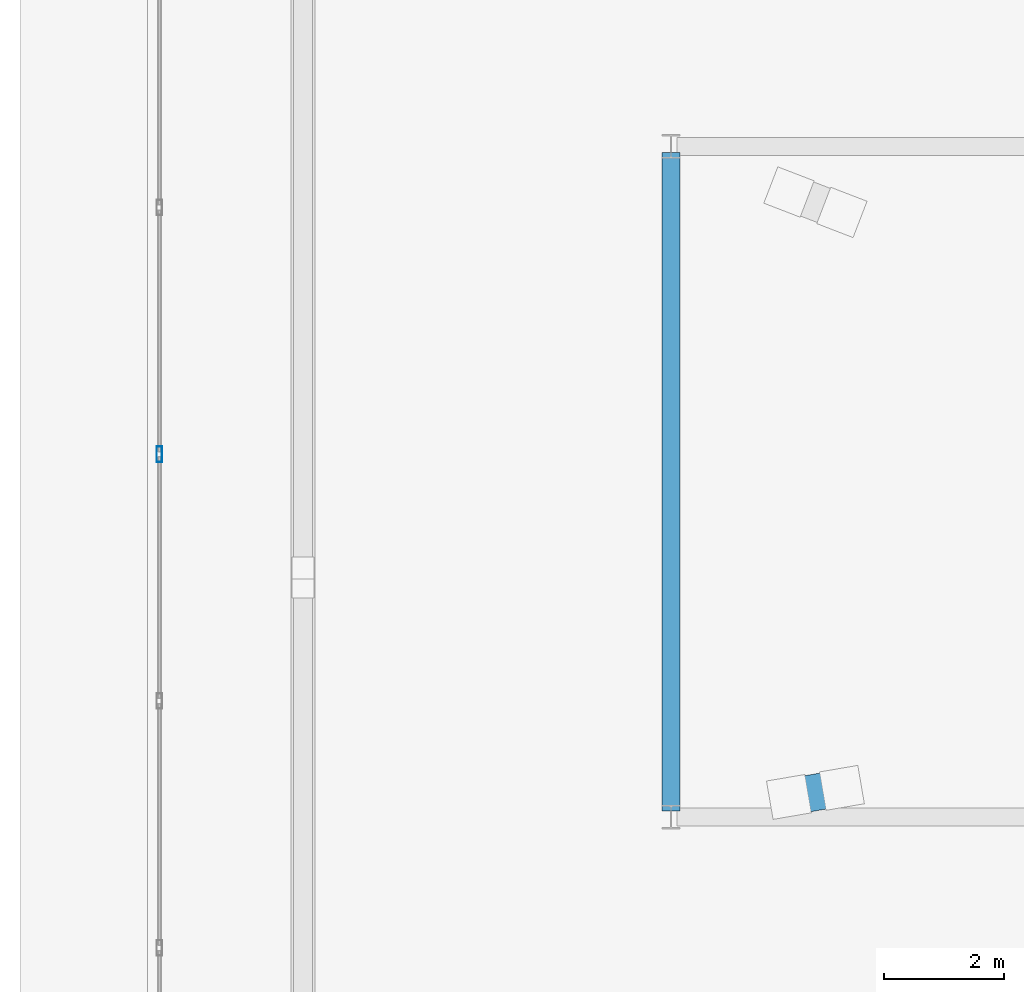
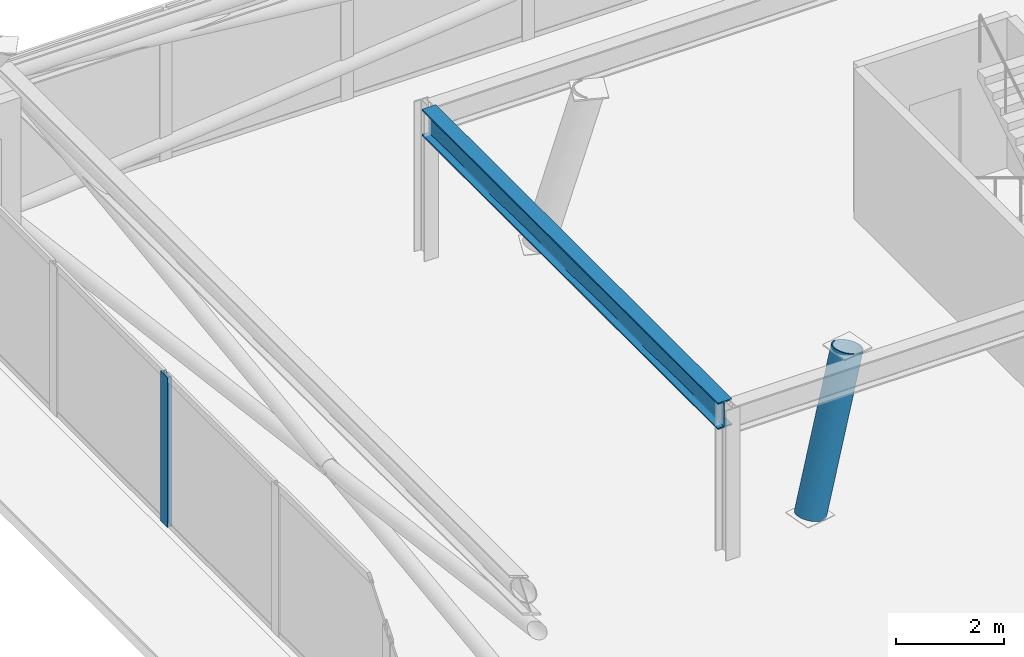
# One storey, part 4 of 18: 2 members, 1 beam, 1 element without a shape of its own.
"""IFC4 building model written with IfcOpenShell, lengths in metres."""

import ifcopenshell
import ifcopenshell.guid

model = None  # the IFC model being written
_history = None  # IfcOwnerHistory: only IFC2X3 demands one
_inside = {}  # id of a spatial element -> (the spatial element, [elements in it])
_under = {}  # id of a project, library or spatial element -> (it, [spatial elements below it])
_declared = {}  # id of a project -> (the project, [libraries it declares])
_typed = {}  # id of a type object -> (the type object, [elements of that type])
_made_of = {}  # id of a material, layer set ... -> (it, [elements and type objects made of it])


def new_model(schema):
    """Start an empty IFC model of exactly this schema.

    Asked for "IFC4X3", IfcOpenShell would pick the latest addendum, in which some entities
    have other attributes; the version numbers below select the first issue.
    IFC2X3 requires an IfcOwnerHistory on every rooted entity: one is made here for all.
    """
    global model, _history
    if schema == "IFC4X3":
        model = ifcopenshell.file(schema_version=(4, 3, 0, 0))
    else:
        model = ifcopenshell.file(schema=schema)
    _inside.clear()
    _under.clear()
    _declared.clear()
    _typed.clear()
    _made_of.clear()
    _history = None
    if model.schema == "IFC2X3":
        org = make("IfcOrganization", Name="unknown")
        user = make(
            "IfcPersonAndOrganization",
            ThePerson=make("IfcPerson", FamilyName="unknown"),
            TheOrganization=org,
        )
        app = make(
            "IfcApplication",
            ApplicationDeveloper=org,
            Version="unknown",
            ApplicationFullName="unknown",
            ApplicationIdentifier="unknown",
        )
        _history = make(
            "IfcOwnerHistory",
            OwningUser=user,
            OwningApplication=app,
            ChangeAction="ADDED",
            CreationDate=0,
        )
    return model


def make(cls, **values):
    """One entity of the class cls with the attributes given. An attribute that is None is left unset."""
    return model.create_entity(
        cls, **{name: value for name, value in values.items() if value is not None}
    )


def rooted(cls, **values):
    """An entity with a GlobalId (a new one), such as an element, a storey or a relation."""
    return make(cls, GlobalId=ifcopenshell.guid.new(), OwnerHistory=_history, **values)


def si_unit(unit_type, name, prefix=None):
    """IfcSIUnit, for example si_unit("LENGTHUNIT", "METRE", prefix="MILLI")."""
    return make("IfcSIUnit", UnitType=unit_type, Prefix=prefix, Name=name)


def assignment(units):
    """IfcUnitAssignment: the units of a project."""
    return None if units is None else make("IfcUnitAssignment", Units=units)


def point(xyz):
    """IfcCartesianPoint."""
    return None if xyz is None else make("IfcCartesianPoint", Coordinates=xyz)


def direction(xyz):
    """IfcDirection."""
    return None if xyz is None else make("IfcDirection", DirectionRatios=xyz)


def frame(location, z_axis=None, x_axis=None):
    """IfcAxis2Placement3D, a coordinate frame: its origin and axes. An axis left out is left unset."""
    return make(
        "IfcAxis2Placement3D",
        Location=point(location),
        Axis=direction(z_axis),
        RefDirection=direction(x_axis),
    )


def frame_2d(location, x_axis=None):
    """IfcAxis2Placement2D, a coordinate frame in the plane: its origin and x axis."""
    return make(
        "IfcAxis2Placement2D", Location=point(location), RefDirection=direction(x_axis)
    )


def origin():
    """The frame at (0, 0, 0) with its axes left unset."""
    return frame((0.0, 0.0, 0.0))


def origin_2d():
    """The frame at (0, 0) in the plane with its x axis left unset."""
    return frame_2d((0.0, 0.0))


def place(relative_to, where):
    """IfcLocalPlacement: puts the frame where relative to a parent placement (None: the world)."""
    return make(
        "IfcLocalPlacement", PlacementRelTo=relative_to, RelativePlacement=where
    )


def context(
    kind, dimensions, precision=None, world=None, true_north=None, identifier=None
):
    """IfcGeometricRepresentationContext, for example the 3D "Model" context."""
    return make(
        "IfcGeometricRepresentationContext",
        ContextIdentifier=identifier,
        ContextType=kind,
        CoordinateSpaceDimension=dimensions,
        Precision=precision,
        WorldCoordinateSystem=world,
        TrueNorth=true_north,
    )


def subcontext(parent, identifier, kind, view, scale=None):
    """IfcGeometricRepresentationSubContext, for example "Body" below "Model"."""
    return make(
        "IfcGeometricRepresentationSubContext",
        ContextIdentifier=identifier,
        ContextType=kind,
        ParentContext=parent,
        TargetScale=scale,
        TargetView=view,
    )


def project(units=None, contexts=None):
    """IfcProject with its units and contexts."""
    return rooted(
        "IfcProject",
        Name="project",
        RepresentationContexts=contexts,
        UnitsInContext=assignment(units),
    )


def spatial(cls, under=None, at=None, **own):
    """A site, building, storey or space (cls), placed at a placement, below another one or the project."""
    s = rooted(cls, ObjectPlacement=at, **own)
    if under is not None:
        _under.setdefault(under.id(), (under, []))[1].append(s)
    return s


def profile(cls, at=None, kind="AREA", **sizes):
    """A parametric profile (cls). Its sizes go by their IFC names, for example OverallWidth=200.0."""
    return make(cls, ProfileType=kind, Position=at, **sizes)


def hollow_rectangle(**sizes):
    """IfcRectangleHollowProfileDef."""
    return profile("IfcRectangleHollowProfileDef", **sizes)


def hollow_circle(**sizes):
    """IfcCircleHollowProfileDef."""
    return profile("IfcCircleHollowProfileDef", **sizes)


def i_section(**sizes):
    """IfcIShapeProfileDef."""
    return profile("IfcIShapeProfileDef", **sizes)


def extrude(swept, where, along, depth):
    """IfcExtrudedAreaSolid: the profile swept, set in the frame where, extruded along a direction by depth."""
    return make(
        "IfcExtrudedAreaSolid",
        SweptArea=swept,
        Position=where,
        ExtrudedDirection=direction(along),
        Depth=depth,
    )


def shape(context_of_items, identifier, shape_type, items):
    """IfcShapeRepresentation: the items that make up one representation, for example the "Body"."""
    return make(
        "IfcShapeRepresentation",
        ContextOfItems=context_of_items,
        RepresentationIdentifier=identifier,
        RepresentationType=shape_type,
        Items=items,
    )


def material(Name=None, Category=None):
    """IfcMaterial."""
    return make("IfcMaterial", Name=Name, Category=Category)


def layer(
    of_material, thickness, ventilated=None, Name=None, Category=None, Priority=None
):
    """IfcMaterialLayer: one layer of a wall or slab, of a material (None: an air gap)."""
    return make(
        "IfcMaterialLayer",
        Material=of_material,
        LayerThickness=thickness,
        IsVentilated=ventilated,
        Name=Name,
        Category=Category,
        Priority=Priority,
    )


def layer_set(layers, Name=None):
    """IfcMaterialLayerSet."""
    return make("IfcMaterialLayerSet", MaterialLayers=layers, LayerSetName=Name)


def material_profile(
    of_material, cross_section, Name=None, Category=None, Priority=None
):
    """IfcMaterialProfile: a cross section and its material."""
    return make(
        "IfcMaterialProfile",
        Name=Name,
        Material=of_material,
        Profile=cross_section,
        Priority=Priority,
        Category=Category,
    )


def profile_set(profiles, Name=None, composite=None):
    """IfcMaterialProfileSet."""
    return make(
        "IfcMaterialProfileSet",
        Name=Name,
        MaterialProfiles=profiles,
        CompositeProfile=composite,
    )


def made_of(thing, what):
    """Note that an element or type object is made of a material, layer set ...; save() writes the relation."""
    if what is not None:
        _made_of.setdefault(what.id(), (what, []))[1].append(thing)
    return thing


def type_object(cls, material=None, **own):
    """A type object (cls), such as IfcWallType, which elements share."""
    return made_of(rooted(cls, **own), material)


def element(
    cls,
    number,
    at=None,
    inside=None,
    cuts=None,
    type_object=None,
    material=None,
    context=None,
    identifier="Body",
    shape_type=None,
    held_by="IfcProductDefinitionShape",
    body=None,
    shapes=None,
    **own,
):
    """One element of the class cls, such as IfcWall. Its Tag is "e" and its number.

    at: its placement. inside: the storey or other place that contains it. cuts: it is an
    opening in that element (IfcRelVoidsElement). A single representation is given by context,
    identifier, shape_type and body (its items); several are given by shapes. held_by: the class
    of the entity that holds the representations. save() writes the other relations.
    """
    e = rooted(cls, Tag="e%d" % number, ObjectPlacement=at, **own)
    if body is not None:
        shapes = [shape(context, identifier, shape_type, body)]
    if shapes is not None:
        e.Representation = make(held_by, Representations=shapes)
    if inside is not None:
        _inside.setdefault(inside.id(), (inside, []))[1].append(e)
    if cuts is not None:
        rooted(
            "IfcRelVoidsElement", RelatingBuildingElement=cuts, RelatedOpeningElement=e
        )
    if type_object is not None:
        _typed.setdefault(type_object.id(), (type_object, []))[1].append(e)
    return made_of(e, material)


def aggregate(whole, parts):
    """IfcRelAggregates: a whole, such as a stair, and the parts it consists of."""
    return rooted("IfcRelAggregates", RelatingObject=whole, RelatedObjects=parts)


def save(model, path):
    """Write the relations noted so far, then the file.

    IfcRelAggregates (storeys below a building ...), IfcRelContainedInSpatialStructure (elements
    in a storey), IfcRelDefinesByType, IfcRelAssociatesMaterial and IfcRelDeclares: one each for
    every whole, place, type object, material and project.
    """
    for whole, parts in _under.values():
        aggregate(whole, parts)
    for where, things in _inside.values():
        rooted(
            "IfcRelContainedInSpatialStructure",
            RelatedElements=things,
            RelatingStructure=where,
        )
    for kind, things in _typed.values():
        rooted("IfcRelDefinesByType", RelatedObjects=things, RelatingType=kind)
    for what, things in _made_of.values():
        rooted("IfcRelAssociatesMaterial", RelatedObjects=things, RelatingMaterial=what)
    for by, libraries in _declared.values():
        rooted("IfcRelDeclares", RelatingContext=by, RelatedDefinitions=libraries)
    model.write(path)


model = new_model("IFC4")

# Units and contexts
model_context = context("Model", 3, precision=1e-05, world=origin(), true_north=direction((0.0, 1.0)))
body_context = subcontext(model_context, "Body", "Model", "MODEL_VIEW")
ifc_project = project(units=[si_unit("LENGTHUNIT", "METRE"), si_unit("AREAUNIT", "SQUARE_METRE"), si_unit("VOLUMEUNIT", "CUBIC_METRE"), si_unit("PLANEANGLEUNIT", "RADIAN"), si_unit("MASSUNIT", "GRAM", prefix="KILO")], contexts=[model_context])

# Site, building, storey
site_placement = place(None, origin())
site = spatial("IfcSite", under=ifc_project, at=site_placement, CompositionType="ELEMENT")
building_placement = place(site_placement, origin())
building = spatial("IfcBuilding", under=site, at=building_placement, Name="Qobustan Lattice House", CompositionType="ELEMENT")
storey_placement = place(building_placement, frame((0.0, 0.0, 277.800048828125)))
storey = spatial("IfcBuildingStorey", under=building, at=storey_placement, Name="L78", CompositionType="ELEMENT", Elevation=277.800048828125)

# Beam
ifc_material_1 = material(Name="Steel S355", Category="steel")
ifc_material_profile_1 = material_profile(ifc_material_1, i_section(OverallWidth=0.300048828125, OverallDepth=0.60009765625, WebThickness=0.015380859375, FlangeThickness=0.030029296875, FilletRadius=0.027099609375, at=origin_2d()), Name="HEB600")
ifc_profile_set_1 = profile_set([ifc_material_profile_1], Name="Steel S355")
beam_type = type_object("IfcBeamType", Name="BM-POD-HEB600", PredefinedType="USERDEFINED", material=ifc_profile_set_1)
beam_placement = place(storey_placement, frame((-9.199951171875, 5.5, 3.099853515625), z_axis=(0.0, -1.0, 0.0), x_axis=(1.0, 0.0, 0.0)))
element("IfcBeam", 1, at=beam_placement, inside=storey, type_object=beam_type, Name="L78 crown support ring girder 4", ObjectType="GIRDER", PredefinedType="USERDEFINED", context=body_context, shape_type="SweptSolid", body=[
    extrude(i_section(OverallWidth=0.300048828125, OverallDepth=0.60009765625, WebThickness=0.015380859375, FlangeThickness=0.030029296875, FilletRadius=0.027099609375, at=origin_2d()), origin(), (0.0, 0.0, 1.0), 11.0),
])

# Curtain wall, member
ifc_material_2 = material(Name="Anodised aluminium and low-E glazing", Category="aluminium")
ifc_layer = layer(ifc_material_2, 0.219970703125)
ifc_layer_set = layer_set([ifc_layer], Name="Anodised aluminium and low-E glazing")
curtain_wall_type = type_object("IfcCurtainWallType", Name="CW-CRN-01", PredefinedType="USERDEFINED", material=ifc_layer_set)
curtain_wall_placement = place(storey_placement, origin())
curtain_wall = element("IfcCurtainWall", 2, at=curtain_wall_placement, inside=storey, type_object=curtain_wall_type, Name="L78 glass-point crown faceted curtain wall 5", ObjectType="CURTAIN WALL", PredefinedType="USERDEFINED")
ifc_material_3 = material(Name="Anodised aluminium EN AW-6063 T6", Category="aluminium")
ifc_material_profile_2 = material_profile(ifc_material_3, hollow_rectangle(XDim=0.090087890625, YDim=0.260009765625, WallThickness=0.006103515625, at=origin_2d()), Name="CWM-CROWN-260x90")
ifc_profile_set_2 = profile_set([ifc_material_profile_2], Name="Anodised aluminium EN AW-6063 T6")
member_type_1 = type_object("IfcMemberType", Name="CWM-CRN-260", PredefinedType="MULLION", material=ifc_profile_set_2)
member_1_placement = place(storey_placement, frame((-17.74658203125, 0.460693359375, 0.0), z_axis=(0.0, 0.0, 1.0), x_axis=(-1.0, 0.0, 0.0)))
member_1 = element("IfcMember", 3, at=member_1_placement, type_object=member_type_1, Name="CW-CR mullion 4", PredefinedType="MULLION", context=body_context, shape_type="SweptSolid", body=[
    extrude(hollow_rectangle(XDim=0.090087890625, YDim=0.260009765625, WallThickness=0.006103515625, at=origin_2d()), origin(), (0.0, 0.0, 1.0), 3.39990234375),
])
aggregate(curtain_wall, [member_1])

# Member
ifc_material_4 = material(Name="Steel S355", Category="steel")
ifc_material_profile_3 = material_profile(ifc_material_4, hollow_circle(Radius=0.304931640625, WallThickness=0.02490234375, at=origin_2d()), Name="CHS610x25")
ifc_profile_set_3 = profile_set([ifc_material_profile_3], Name="Steel S355")
member_type_2 = type_object("IfcMemberType", Name="MEM-SPR-CHS610", PredefinedType="USERDEFINED", material=ifc_profile_set_3)
member_2_placement = place(storey_placement, frame((-7.2294921875, -5.26220703125, 0.0), z_axis=(0.250701253102, 0.042987278579, 0.967109598532), x_axis=(-0.169001704881, 0.985615758674, 0.0)))
element("IfcMember", 4, at=member_2_placement, inside=storey, type_object=member_type_2, Name="L78 crown spire leg SL1", ObjectType="CROWN FRAME", PredefinedType="USERDEFINED", context=body_context, shape_type="SweptSolid", body=[
    extrude(hollow_circle(Radius=0.304931640625, WallThickness=0.02490234375, at=origin_2d()), origin(), (0.0, 0.0, 1.0), 3.515625),
])

save(model, "model.ifc")
